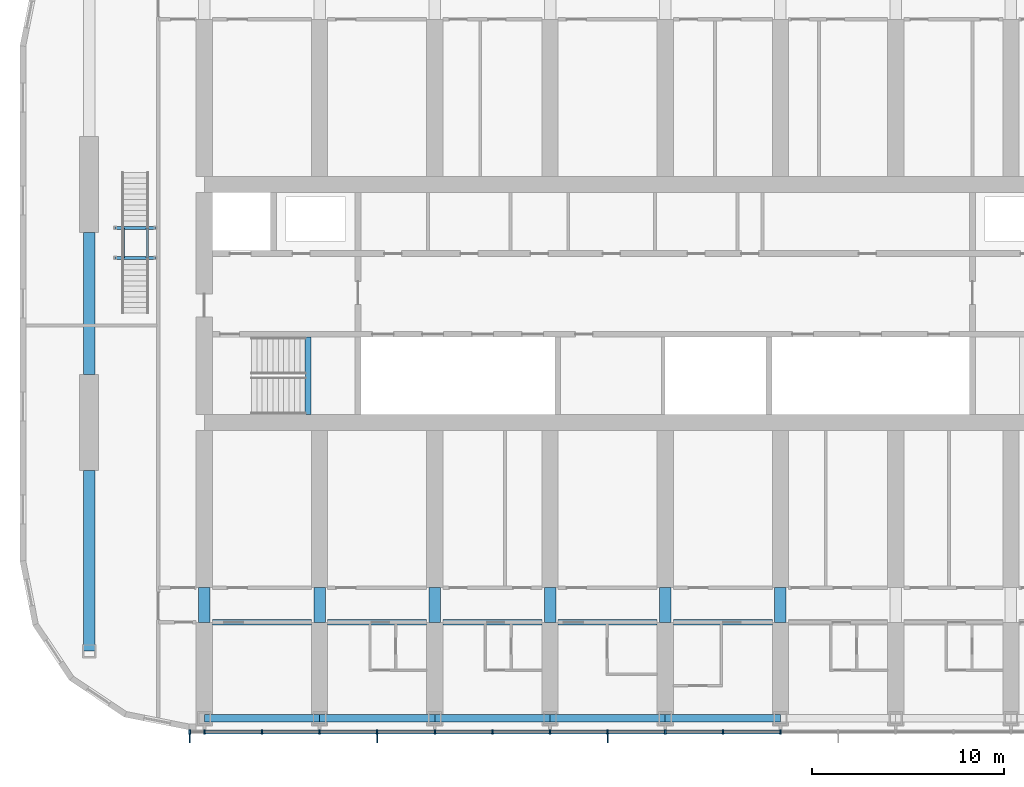
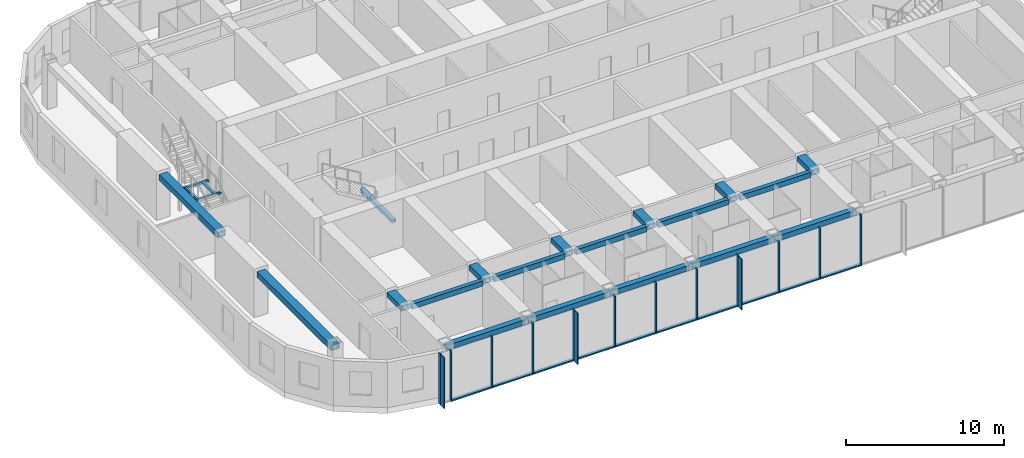
# One storey, part 4 of 27: 25 members, 23 beams, 1 element without a shape of its own.
"""IFC4 building model written with IfcOpenShell, lengths in metres."""

from ifc_helpers import new_model, si_unit, direction, frame, origin, origin_2d, place, context, subcontext, project, spatial, rectangle, hollow_rectangle, extrude, material, material_profile, profile_set, type_object, element, aggregate, save


model = new_model("IFC4")

# Units and contexts
model_context = context("Model", 3, precision=1e-05, world=origin(), true_north=direction((0.0, 1.0)))
body_context = subcontext(model_context, "Body", "Model", "MODEL_VIEW")
ifc_project = project(units=[si_unit("LENGTHUNIT", "METRE"), si_unit("AREAUNIT", "SQUARE_METRE"), si_unit("VOLUMEUNIT", "CUBIC_METRE"), si_unit("PLANEANGLEUNIT", "RADIAN"), si_unit("MASSUNIT", "GRAM", prefix="KILO")], contexts=[model_context])

# Site, building, storey
site_placement = place(None, origin())
site = spatial("IfcSite", under=ifc_project, at=site_placement, CompositionType="ELEMENT")
building_placement = place(site_placement, origin())
building = spatial("IfcBuilding", under=site, at=building_placement, Name="Orbita Commons", CompositionType="ELEMENT")
storey_placement = place(building_placement, frame((0.0, 0.0, 178.60009765625)))
storey = spatial("IfcBuildingStorey", under=building, at=storey_placement, Name="L44", CompositionType="ELEMENT", Elevation=178.60009765625)

# Curtain wall, members
ifc_material_1 = material(Name="Anodised aluminium frame, pale silver", Category="aluminium")
curtain_wall_type = type_object("IfcCurtainWallType", Name="Unitised curtain wall CW-U, full-height vision", PredefinedType="NOTDEFINED", material=ifc_material_1)
curtain_wall_placement = place(storey_placement, origin())
curtain_wall = element("IfcCurtainWall", 1, at=curtain_wall_placement, inside=storey, type_object=curtain_wall_type, Name="Curtain wall south L44", PredefinedType="NOTDEFINED")
ifc_material_2 = material(Name="Anodised aluminium, pale silver", Category="aluminium")
ifc_material_profile_1 = material_profile(ifc_material_2, rectangle(XDim=0.080078125, YDim=0.219970703125, at=origin_2d()), Name="AL 80x220")
ifc_profile_set_1 = profile_set([ifc_material_profile_1], Name="Anodised aluminium, pale silver")
member_type_1 = type_object("IfcMemberType", Name="Curtain wall mullion 80x220", PredefinedType="MULLION", material=ifc_profile_set_1)
member_1_placement = place(storey_placement, frame((17.239990234375, 9.68994140625, -0.4501953125), z_axis=(0.0, 0.0, 1.0), x_axis=(1.0, 0.0, 0.0)))
member_1 = element("IfcMember", 2, at=member_1_placement, type_object=member_type_1, Name="Mullion 1 CW-L44-S", PredefinedType="MULLION", context=body_context, shape_type="SweptSolid", body=[
    extrude(rectangle(XDim=0.080078125, YDim=0.219970703125, at=origin_2d()), origin(), (0.0, 0.0, 1.0), 3.9501953125),
])
member_2_placement = place(storey_placement, frame((18.0, 9.68994140625, -0.4501953125), z_axis=(0.0, 0.0, 1.0), x_axis=(1.0, 0.0, 0.0)))
member_2 = element("IfcMember", 3, at=member_2_placement, type_object=member_type_1, Name="Mullion 2 CW-L44-S", PredefinedType="MULLION", context=body_context, shape_type="SweptSolid", body=[
    extrude(rectangle(XDim=0.080078125, YDim=0.219970703125, at=origin_2d()), origin(), (0.0, 0.0, 1.0), 3.9501953125),
])
member_3_placement = place(storey_placement, frame((21.0, 9.68994140625, -0.4501953125), z_axis=(0.0, 0.0, 1.0), x_axis=(1.0, 0.0, 0.0)))
member_3 = element("IfcMember", 4, at=member_3_placement, type_object=member_type_1, Name="Mullion 3 CW-L44-S", PredefinedType="MULLION", context=body_context, shape_type="SweptSolid", body=[
    extrude(rectangle(XDim=0.080078125, YDim=0.219970703125, at=origin_2d()), origin(), (0.0, 0.0, 1.0), 3.9501953125),
])
member_4_placement = place(storey_placement, frame((24.0, 9.68994140625, -0.4501953125), z_axis=(0.0, 0.0, 1.0), x_axis=(1.0, 0.0, 0.0)))
member_4 = element("IfcMember", 5, at=member_4_placement, type_object=member_type_1, Name="Mullion 4 CW-L44-S", PredefinedType="MULLION", context=body_context, shape_type="SweptSolid", body=[
    extrude(rectangle(XDim=0.080078125, YDim=0.219970703125, at=origin_2d()), origin(), (0.0, 0.0, 1.0), 3.9501953125),
])
member_5_placement = place(storey_placement, frame((27.0, 9.68994140625, -0.4501953125), z_axis=(0.0, 0.0, 1.0), x_axis=(1.0, 0.0, 0.0)))
member_5 = element("IfcMember", 6, at=member_5_placement, type_object=member_type_1, Name="Mullion 5 CW-L44-S", PredefinedType="MULLION", context=body_context, shape_type="SweptSolid", body=[
    extrude(rectangle(XDim=0.080078125, YDim=0.219970703125, at=origin_2d()), origin(), (0.0, 0.0, 1.0), 3.9501953125),
])
member_6_placement = place(storey_placement, frame((30.0, 9.68994140625, -0.4501953125), z_axis=(0.0, 0.0, 1.0), x_axis=(1.0, 0.0, 0.0)))
member_6 = element("IfcMember", 7, at=member_6_placement, type_object=member_type_1, Name="Mullion 6 CW-L44-S", PredefinedType="MULLION", context=body_context, shape_type="SweptSolid", body=[
    extrude(rectangle(XDim=0.080078125, YDim=0.219970703125, at=origin_2d()), origin(), (0.0, 0.0, 1.0), 3.9501953125),
])
member_7_placement = place(storey_placement, frame((33.0, 9.68994140625, -0.4501953125), z_axis=(0.0, 0.0, 1.0), x_axis=(1.0, 0.0, 0.0)))
member_7 = element("IfcMember", 8, at=member_7_placement, type_object=member_type_1, Name="Mullion 7 CW-L44-S", PredefinedType="MULLION", context=body_context, shape_type="SweptSolid", body=[
    extrude(rectangle(XDim=0.080078125, YDim=0.219970703125, at=origin_2d()), origin(), (0.0, 0.0, 1.0), 3.9501953125),
])
member_8_placement = place(storey_placement, frame((36.0, 9.68994140625, -0.4501953125), z_axis=(0.0, 0.0, 1.0), x_axis=(1.0, 0.0, 0.0)))
member_8 = element("IfcMember", 9, at=member_8_placement, type_object=member_type_1, Name="Mullion 8 CW-L44-S", PredefinedType="MULLION", context=body_context, shape_type="SweptSolid", body=[
    extrude(rectangle(XDim=0.080078125, YDim=0.219970703125, at=origin_2d()), origin(), (0.0, 0.0, 1.0), 3.9501953125),
])
member_9_placement = place(storey_placement, frame((39.0, 9.68994140625, -0.4501953125), z_axis=(0.0, 0.0, 1.0), x_axis=(1.0, 0.0, 0.0)))
member_9 = element("IfcMember", 10, at=member_9_placement, type_object=member_type_1, Name="Mullion 9 CW-L44-S", PredefinedType="MULLION", context=body_context, shape_type="SweptSolid", body=[
    extrude(rectangle(XDim=0.080078125, YDim=0.219970703125, at=origin_2d()), origin(), (0.0, 0.0, 1.0), 3.9501953125),
])
member_10_placement = place(storey_placement, frame((42.0, 9.68994140625, -0.4501953125), z_axis=(0.0, 0.0, 1.0), x_axis=(1.0, 0.0, 0.0)))
member_10 = element("IfcMember", 11, at=member_10_placement, type_object=member_type_1, Name="Mullion 10 CW-L44-S", PredefinedType="MULLION", context=body_context, shape_type="SweptSolid", body=[
    extrude(rectangle(XDim=0.080078125, YDim=0.219970703125, at=origin_2d()), origin(), (0.0, 0.0, 1.0), 3.9501953125),
])
member_11_placement = place(storey_placement, frame((45.0, 9.68994140625, -0.4501953125), z_axis=(0.0, 0.0, 1.0), x_axis=(1.0, 0.0, 0.0)))
member_11 = element("IfcMember", 12, at=member_11_placement, type_object=member_type_1, Name="Mullion 11 CW-L44-S", PredefinedType="MULLION", context=body_context, shape_type="SweptSolid", body=[
    extrude(rectangle(XDim=0.080078125, YDim=0.219970703125, at=origin_2d()), origin(), (0.0, 0.0, 1.0), 3.9501953125),
])
member_12_placement = place(storey_placement, frame((48.0, 9.68994140625, -0.4501953125), z_axis=(0.0, 0.0, 1.0), x_axis=(1.0, 0.0, 0.0)))
member_12 = element("IfcMember", 13, at=member_12_placement, type_object=member_type_1, Name="Mullion 12 CW-L44-S", PredefinedType="MULLION", context=body_context, shape_type="SweptSolid", body=[
    extrude(rectangle(XDim=0.080078125, YDim=0.219970703125, at=origin_2d()), origin(), (0.0, 0.0, 1.0), 3.9501953125),
])
ifc_material_3 = material(Name="Anodised aluminium, pale silver", Category="aluminium")
ifc_material_profile_2 = material_profile(ifc_material_3, rectangle(XDim=0.219970703125, YDim=0.10009765625, at=origin_2d()), Name="AL 220x100")
ifc_profile_set_2 = profile_set([ifc_material_profile_2], Name="Anodised aluminium, pale silver")
member_type_2 = type_object("IfcMemberType", Name="Curtain wall stack transom 220x100", PredefinedType="USERDEFINED", material=ifc_profile_set_2)
member_13_placement = place(storey_placement, frame((18.0400390625, 9.68994140625, -0.400146484375), z_axis=(1.0, 0.0, 0.0), x_axis=(0.0, 1.0, 0.0)))
member_13 = element("IfcMember", 14, at=member_13_placement, type_object=member_type_2, Name="Transom 2.1 CW-L44-S", ObjectType="TRANSOM", PredefinedType="USERDEFINED", context=body_context, shape_type="SweptSolid", body=[
    extrude(rectangle(XDim=0.219970703125, YDim=0.10009765625, at=origin_2d()), origin(), (0.0, 0.0, 1.0), 2.919921875),
])
member_14_placement = place(storey_placement, frame((21.0400390625, 9.68994140625, -0.400146484375), z_axis=(1.0, 0.0, 0.0), x_axis=(0.0, 1.0, 0.0)))
member_14 = element("IfcMember", 15, at=member_14_placement, type_object=member_type_2, Name="Transom 3.1 CW-L44-S", ObjectType="TRANSOM", PredefinedType="USERDEFINED", context=body_context, shape_type="SweptSolid", body=[
    extrude(rectangle(XDim=0.219970703125, YDim=0.10009765625, at=origin_2d()), origin(), (0.0, 0.0, 1.0), 2.919921875),
])
member_15_placement = place(storey_placement, frame((24.0400390625, 9.68994140625, -0.400146484375), z_axis=(1.0, 0.0, 0.0), x_axis=(0.0, 1.0, 0.0)))
member_15 = element("IfcMember", 16, at=member_15_placement, type_object=member_type_2, Name="Transom 4.1 CW-L44-S", ObjectType="TRANSOM", PredefinedType="USERDEFINED", context=body_context, shape_type="SweptSolid", body=[
    extrude(rectangle(XDim=0.219970703125, YDim=0.10009765625, at=origin_2d()), origin(), (0.0, 0.0, 1.0), 2.919921875),
])
member_16_placement = place(storey_placement, frame((27.0400390625, 9.68994140625, -0.400146484375), z_axis=(1.0, 0.0, 0.0), x_axis=(0.0, 1.0, 0.0)))
member_16 = element("IfcMember", 17, at=member_16_placement, type_object=member_type_2, Name="Transom 5.1 CW-L44-S", ObjectType="TRANSOM", PredefinedType="USERDEFINED", context=body_context, shape_type="SweptSolid", body=[
    extrude(rectangle(XDim=0.219970703125, YDim=0.10009765625, at=origin_2d()), origin(), (0.0, 0.0, 1.0), 2.919921875),
])
member_17_placement = place(storey_placement, frame((30.0400390625, 9.68994140625, -0.400146484375), z_axis=(1.0, 0.0, 0.0), x_axis=(0.0, 1.0, 0.0)))
member_17 = element("IfcMember", 18, at=member_17_placement, type_object=member_type_2, Name="Transom 6.1 CW-L44-S", ObjectType="TRANSOM", PredefinedType="USERDEFINED", context=body_context, shape_type="SweptSolid", body=[
    extrude(rectangle(XDim=0.219970703125, YDim=0.10009765625, at=origin_2d()), origin(), (0.0, 0.0, 1.0), 2.919921875),
])
member_18_placement = place(storey_placement, frame((33.0400390625, 9.68994140625, -0.400146484375), z_axis=(1.0, 0.0, 0.0), x_axis=(0.0, 1.0, 0.0)))
member_18 = element("IfcMember", 19, at=member_18_placement, type_object=member_type_2, Name="Transom 7.1 CW-L44-S", ObjectType="TRANSOM", PredefinedType="USERDEFINED", context=body_context, shape_type="SweptSolid", body=[
    extrude(rectangle(XDim=0.219970703125, YDim=0.10009765625, at=origin_2d()), origin(), (0.0, 0.0, 1.0), 2.919921875),
])
member_19_placement = place(storey_placement, frame((36.0400390625, 9.68994140625, -0.400146484375), z_axis=(1.0, 0.0, 0.0), x_axis=(0.0, 1.0, 0.0)))
member_19 = element("IfcMember", 20, at=member_19_placement, type_object=member_type_2, Name="Transom 8.1 CW-L44-S", ObjectType="TRANSOM", PredefinedType="USERDEFINED", context=body_context, shape_type="SweptSolid", body=[
    extrude(rectangle(XDim=0.219970703125, YDim=0.10009765625, at=origin_2d()), origin(), (0.0, 0.0, 1.0), 2.919921875),
])
member_20_placement = place(storey_placement, frame((39.0400390625, 9.68994140625, -0.400146484375), z_axis=(1.0, 0.0, 0.0), x_axis=(0.0, 1.0, 0.0)))
member_20 = element("IfcMember", 21, at=member_20_placement, type_object=member_type_2, Name="Transom 9.1 CW-L44-S", ObjectType="TRANSOM", PredefinedType="USERDEFINED", context=body_context, shape_type="SweptSolid", body=[
    extrude(rectangle(XDim=0.219970703125, YDim=0.10009765625, at=origin_2d()), origin(), (0.0, 0.0, 1.0), 2.919921875),
])
member_21_placement = place(storey_placement, frame((42.0400390625, 9.68994140625, -0.400146484375), z_axis=(1.0, 0.0, 0.0), x_axis=(0.0, 1.0, 0.0)))
member_21 = element("IfcMember", 22, at=member_21_placement, type_object=member_type_2, Name="Transom 10.1 CW-L44-S", ObjectType="TRANSOM", PredefinedType="USERDEFINED", context=body_context, shape_type="SweptSolid", body=[
    extrude(rectangle(XDim=0.219970703125, YDim=0.10009765625, at=origin_2d()), origin(), (0.0, 0.0, 1.0), 2.919921875),
])
member_22_placement = place(storey_placement, frame((45.0400390625, 9.68994140625, -0.400146484375), z_axis=(1.0, 0.0, 0.0), x_axis=(0.0, 1.0, 0.0)))
member_22 = element("IfcMember", 23, at=member_22_placement, type_object=member_type_2, Name="Transom 11.1 CW-L44-S", ObjectType="TRANSOM", PredefinedType="USERDEFINED", context=body_context, shape_type="SweptSolid", body=[
    extrude(rectangle(XDim=0.219970703125, YDim=0.10009765625, at=origin_2d()), origin(), (0.0, 0.0, 1.0), 2.919921875),
])

# Beams
ifc_material_4 = material(Name="Steel ASTM A992", Category="steel")
ifc_material_profile_3 = material_profile(ifc_material_4, hollow_rectangle(XDim=0.14990234375, YDim=0.14990234375, WallThickness=0.008056640625, at=origin_2d()), Name="SHS 150x150x8")
ifc_profile_set_3 = profile_set([ifc_material_profile_3], Name="Steel ASTM A992")
beam_type_1 = type_object("IfcBeamType", Name="Landing frame beam SHS 150x150x8", PredefinedType="BEAM", material=ifc_profile_set_3)
for number, where, z_axis, x_axis, name in (
    (24, (13.35009765625, 34.375, 1.599853515625), (1.0, 0.0, 0.0), (0.0, 1.0, 0.0), "Neighbourhood stair L44 to L45 landing frame beam 1"),
    (25, (13.35009765625, 35.93505859375, 1.599853515625), (1.0, 0.0, 0.0), (0.0, 1.0, 0.0), "Neighbourhood stair L44 to L45 landing frame beam 2"),
):
    element("IfcBeam", number, at=place(storey_placement, frame(where, z_axis=z_axis, x_axis=x_axis)), inside=storey, type_object=beam_type_1, Name=name, PredefinedType="BEAM", context=body_context, shape_type="SweptSolid", body=[
        extrude(hollow_rectangle(XDim=0.14990234375, YDim=0.14990234375, WallThickness=0.008056640625, at=origin_2d()), origin(), (0.0, 0.0, 1.0), 2.099853515625),
    ])
for number, where, z_axis, x_axis, name in (
    (26, (13.77490234375, 34.375, 1.599853515625), (0.0, 1.0, 0.0), (-1.0, 0.0, 0.0), "Neighbourhood stair L44 to L45 landing frame beam 3"),
    (27, (15.02490234375, 34.375, 1.599853515625), (0.0, 1.0, 0.0), (-1.0, 0.0, 0.0), "Neighbourhood stair L44 to L45 landing frame beam 4"),
):
    element("IfcBeam", number, at=place(storey_placement, frame(where, z_axis=z_axis, x_axis=x_axis)), inside=storey, type_object=beam_type_1, Name=name, PredefinedType="BEAM", context=body_context, shape_type="SweptSolid", body=[
        extrude(hollow_rectangle(XDim=0.14990234375, YDim=0.14990234375, WallThickness=0.008056640625, at=origin_2d()), origin(), (0.0, 0.0, 1.0), 1.56005859375),
    ])
ifc_material_5 = material(Name="Steel ASTM A572 Gr 50 welded plate", Category="steel")
ifc_material_profile_4 = material_profile(ifc_material_5, hollow_rectangle(XDim=0.300048828125, YDim=0.25, WallThickness=0.02490234375, at=origin_2d()), Name="BOX 250x300x25")
ifc_profile_set_4 = profile_set([ifc_material_profile_4], Name="Steel ASTM A572 Gr 50 welded plate")
beam_type_2 = type_object("IfcBeamType", Name="Stair landing beam steel BOX 250x300x25", PredefinedType="BEAM", material=ifc_profile_set_4)
beam_1_placement = place(storey_placement, frame((23.39990234375, 26.2099609375, 1.5498046875), z_axis=(0.0, 1.0, 0.0), x_axis=(-1.0, 0.0, 0.0)))
element("IfcBeam", 28, at=beam_1_placement, inside=storey, type_object=beam_type_2, Name="Stair S1 landing beam L44 1", PredefinedType="BEAM", context=body_context, shape_type="SweptSolid", body=[
    extrude(hollow_rectangle(XDim=0.300048828125, YDim=0.25, WallThickness=0.02490234375, at=origin_2d()), origin(), (0.0, 0.0, 1.0), 4.054931640625),
])
ifc_material_6 = material(Name="Steel ASTM A572 Gr 50 welded plate", Category="steel")
ifc_material_profile_5 = material_profile(ifc_material_6, hollow_rectangle(XDim=0.300048828125, YDim=0.39990234375, WallThickness=0.0400390625, at=origin_2d()), Name="BOX 400x300x40")
ifc_profile_set_5 = profile_set([ifc_material_profile_5], Name="Steel ASTM A572 Gr 50 welded plate")
beam_type_3 = type_object("IfcBeamType", Name="Steel corridor link BOX 400x300x40", PredefinedType="BEAM", material=ifc_profile_set_5)
for number, where, z_axis, x_axis, name in (
    (29, (18.425048828125, 15.39990234375, 3.2998046875), (1.0, 0.0, 0.0), (0.0, 1.0, 0.0), "Corridor beam SA 4-5 L44"),
    (30, (24.425048828125, 15.39990234375, 3.2998046875), (1.0, 0.0, 0.0), (0.0, 1.0, 0.0), "Corridor beam SA 5-6 L44"),
    (31, (30.425048828125, 15.39990234375, 3.2998046875), (1.0, 0.0, 0.0), (0.0, 1.0, 0.0), "Corridor beam SA 6-7 L44"),
    (32, (36.425048828125, 15.39990234375, 3.2998046875), (1.0, 0.0, 0.0), (0.0, 1.0, 0.0), "Corridor beam SA 7-8 L44"),
    (33, (42.425048828125, 15.39990234375, 3.2998046875), (1.0, 0.0, 0.0), (0.0, 1.0, 0.0), "Corridor beam SA 8-9 L44"),
):
    element("IfcBeam", number, at=place(storey_placement, frame(where, z_axis=z_axis, x_axis=x_axis)), inside=storey, type_object=beam_type_3, Name=name, PredefinedType="BEAM", context=body_context, shape_type="SweptSolid", body=[
        extrude(hollow_rectangle(XDim=0.300048828125, YDim=0.39990234375, WallThickness=0.0400390625, at=origin_2d()), origin(), (0.0, 0.0, 1.0), 5.14990234375),
    ])
ifc_material_7 = material(Name="Steel ASTM A572 Gr 50 welded plate", Category="steel")
ifc_material_profile_6 = material_profile(ifc_material_7, hollow_rectangle(XDim=0.60009765625, YDim=0.39990234375, WallThickness=0.050048828125, at=origin_2d()), Name="BOX 400x600x50")
ifc_profile_set_6 = profile_set([ifc_material_profile_6], Name="Steel ASTM A572 Gr 50 welded plate")
beam_type_4 = type_object("IfcBeamType", Name="Steel coupling link BOX 400x600x50", PredefinedType="LINTEL", material=ifc_profile_set_6)
for number, where, z_axis, x_axis, name in (
    (34, (18.0, 15.39990234375, 3.2998046875), (0.0, 1.0, 0.0), (-1.0, 0.0, 0.0), "Coupling beam 4 south L44"),
    (35, (24.0, 15.39990234375, 3.2998046875), (0.0, 1.0, 0.0), (-1.0, 0.0, 0.0), "Coupling beam 5 south L44"),
    (36, (30.0, 15.39990234375, 3.2998046875), (0.0, 1.0, 0.0), (-1.0, 0.0, 0.0), "Coupling beam 6 south L44"),
    (37, (36.0, 15.39990234375, 3.2998046875), (0.0, 1.0, 0.0), (-1.0, 0.0, 0.0), "Coupling beam 7 south L44"),
    (38, (42.0, 15.39990234375, 3.2998046875), (0.0, 1.0, 0.0), (-1.0, 0.0, 0.0), "Coupling beam 8 south L44"),
    (39, (48.0, 15.39990234375, 3.2998046875), (0.0, 1.0, 0.0), (-1.0, 0.0, 0.0), "Coupling beam 9 south L44"),
):
    element("IfcBeam", number, at=place(storey_placement, frame(where, z_axis=z_axis, x_axis=x_axis)), inside=storey, type_object=beam_type_4, Name=name, PredefinedType="LINTEL", context=body_context, shape_type="SweptSolid", body=[
        extrude(hollow_rectangle(XDim=0.60009765625, YDim=0.39990234375, WallThickness=0.050048828125, at=origin_2d()), origin(), (0.0, 0.0, 1.0), 1.800048828125),
    ])
ifc_material_8 = material(Name="Steel ASTM A572 Gr 50 welded plate", Category="steel")
ifc_material_profile_7 = material_profile(ifc_material_8, hollow_rectangle(XDim=0.60009765625, YDim=0.449951171875, WallThickness=0.06005859375, at=origin_2d()), Name="BOX 450x600x60")
ifc_profile_set_7 = profile_set([ifc_material_profile_7], Name="Steel ASTM A572 Gr 50 welded plate")
beam_type_5 = type_object("IfcBeamType", Name="Steel end frame link BOX 450x600x60", PredefinedType="BEAM", material=ifc_profile_set_7)
beam_2_placement = place(storey_placement, frame((12.0, 13.89990234375, 3.27490234375), z_axis=(0.0, 1.0, 0.0), x_axis=(-1.0, 0.0, 0.0)))
element("IfcBeam", 40, at=beam_2_placement, inside=storey, type_object=beam_type_5, Name="End frame beam 3 B-C L44", PredefinedType="BEAM", context=body_context, shape_type="SweptSolid", body=[
    extrude(hollow_rectangle(XDim=0.60009765625, YDim=0.449951171875, WallThickness=0.06005859375, at=origin_2d()), origin(), (0.0, 0.0, 1.0), 9.400146484375),
])
beam_3_placement = place(storey_placement, frame((12.0, 28.300048828125, 3.27490234375), z_axis=(0.0, 1.0, 0.0), x_axis=(-1.0, 0.0, 0.0)))
element("IfcBeam", 41, at=beam_3_placement, inside=storey, type_object=beam_type_5, Name="End frame beam 3 C-D L44", PredefinedType="BEAM", context=body_context, shape_type="SweptSolid", body=[
    extrude(hollow_rectangle(XDim=0.60009765625, YDim=0.449951171875, WallThickness=0.06005859375, at=origin_2d()), origin(), (0.0, 0.0, 1.0), 7.39990234375),
])
ifc_material_9 = material(Name="Steel ASTM A572 Gr 50 welded plate", Category="steel")
ifc_material_profile_8 = material_profile(ifc_material_9, hollow_rectangle(XDim=0.39990234375, YDim=0.39990234375, WallThickness=0.0400390625, at=origin_2d()), Name="BOX 400x400x40")
ifc_profile_set_8 = profile_set([ifc_material_profile_8], Name="Steel ASTM A572 Gr 50 welded plate")
beam_type_6 = type_object("IfcBeamType", Name="Steel spandrel BOX 400x400x40", PredefinedType="SPANDREL", material=ifc_profile_set_8)
for number, where, z_axis, x_axis, name in (
    (42, (18.0, 10.39990234375, 3.2998046875), (1.0, 0.0, 0.0), (0.0, 1.0, 0.0), "Spandrel beam B 4-5 L44"),
    (43, (24.0, 10.39990234375, 3.2998046875), (1.0, 0.0, 0.0), (0.0, 1.0, 0.0), "Spandrel beam B 5-6 L44"),
    (44, (30.0, 10.39990234375, 3.2998046875), (1.0, 0.0, 0.0), (0.0, 1.0, 0.0), "Spandrel beam B 6-7 L44"),
    (45, (36.0, 10.39990234375, 3.2998046875), (1.0, 0.0, 0.0), (0.0, 1.0, 0.0), "Spandrel beam B 7-8 L44"),
    (46, (42.0, 10.39990234375, 3.2998046875), (1.0, 0.0, 0.0), (0.0, 1.0, 0.0), "Spandrel beam B 8-9 L44"),
):
    element("IfcBeam", number, at=place(storey_placement, frame(where, z_axis=z_axis, x_axis=x_axis)), inside=storey, type_object=beam_type_6, Name=name, PredefinedType="SPANDREL", context=body_context, shape_type="SweptSolid", body=[
        extrude(hollow_rectangle(XDim=0.39990234375, YDim=0.39990234375, WallThickness=0.0400390625, at=origin_2d()), origin(), (0.0, 0.0, 1.0), 6.0),
    ])

# Member
ifc_material_10 = material(Name="Anodised aluminium, pale silver", Category="aluminium")
ifc_material_profile_9 = material_profile(ifc_material_10, rectangle(XDim=0.06005859375, YDim=0.449951171875, at=origin_2d()), Name="FIN 60x450")
ifc_profile_set_9 = profile_set([ifc_material_profile_9], Name="Anodised aluminium, pale silver")
member_type_3 = type_object("IfcMemberType", Name="Vertical fin 60x450 pale aluminium", PredefinedType="USERDEFINED", material=ifc_profile_set_9)
member_23_placement = place(storey_placement, frame((17.239990234375, 9.35498046875, -0.4501953125), z_axis=(0.0, 0.0, 1.0), x_axis=(1.0, 0.0, 0.0)))
member_23 = element("IfcMember", 47, at=member_23_placement, type_object=member_type_3, Name="Fin 1 CW-L44-S", ObjectType="FIN", PredefinedType="USERDEFINED", context=body_context, shape_type="SweptSolid", body=[
    extrude(rectangle(XDim=0.06005859375, YDim=0.449951171875, at=origin_2d()), origin(), (0.0, 0.0, 1.0), 3.9501953125),
])

member_24_placement = place(storey_placement, frame((27.0, 9.35498046875, -0.4501953125), z_axis=(0.0, 0.0, 1.0), x_axis=(1.0, 0.0, 0.0)))
member_24 = element("IfcMember", 48, at=member_24_placement, type_object=member_type_3, Name="Fin 5 CW-L44-S", ObjectType="FIN", PredefinedType="USERDEFINED", context=body_context, shape_type="SweptSolid", body=[
    extrude(rectangle(XDim=0.06005859375, YDim=0.449951171875, at=origin_2d()), origin(), (0.0, 0.0, 1.0), 3.9501953125),
])

member_25_placement = place(storey_placement, frame((39.0, 9.35498046875, -0.4501953125), z_axis=(0.0, 0.0, 1.0), x_axis=(1.0, 0.0, 0.0)))
member_25 = element("IfcMember", 49, at=member_25_placement, type_object=member_type_3, Name="Fin 9 CW-L44-S", ObjectType="FIN", PredefinedType="USERDEFINED", context=body_context, shape_type="SweptSolid", body=[
    extrude(rectangle(XDim=0.06005859375, YDim=0.449951171875, at=origin_2d()), origin(), (0.0, 0.0, 1.0), 3.9501953125),
])

aggregate(curtain_wall, [member_1, member_23, member_2, member_3, member_4, member_5, member_24, member_6, member_7, member_8, member_9, member_25, member_10, member_11, member_12, member_13, member_14, member_15, member_16, member_17, member_18, member_19, member_20, member_21, member_22])

save(model, "model.ifc")
